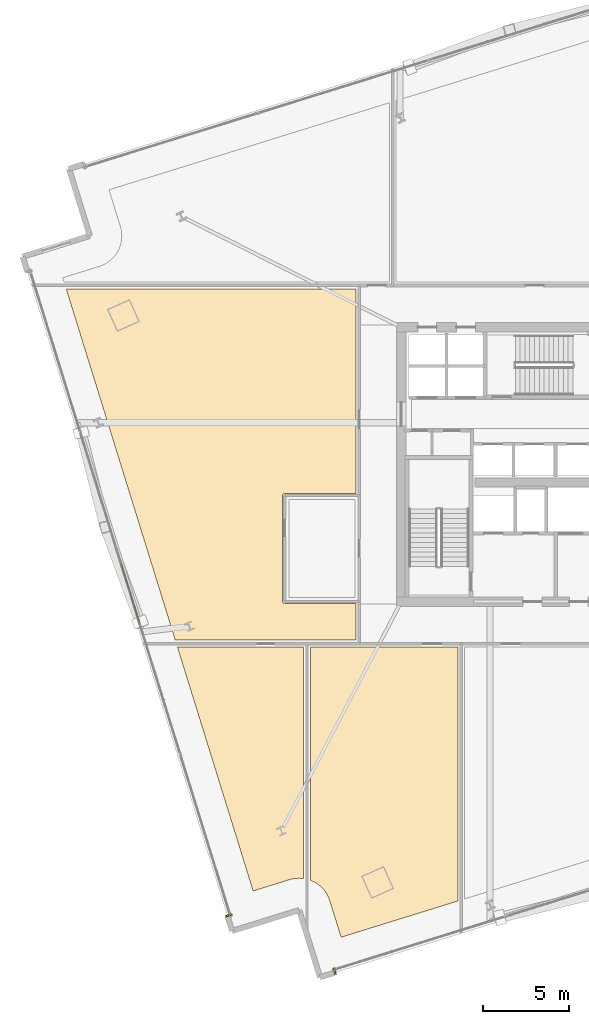
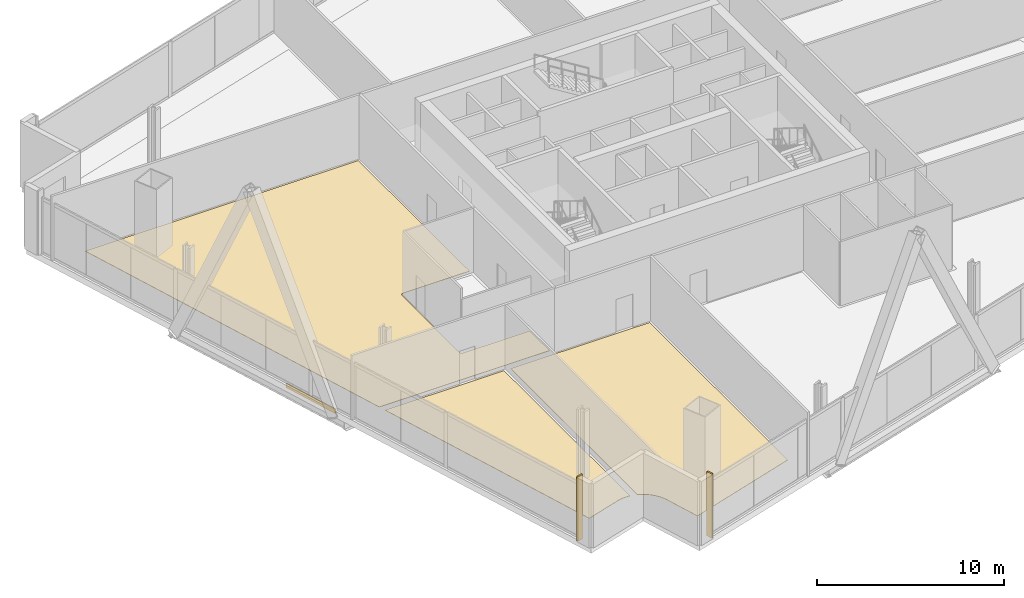
# One storey, part 20 of 26: 6 coverings.
"""IFC4 building model written with IfcOpenShell, lengths in metres."""

from ifc_helpers import new_model, si_unit, direction, frame, origin, origin_2d, place, context, subcontext, project, spatial, polyline, rectangle, outline, extrude, source, transform, mapped, material, layer, layer_set, type_object, element, save


model = new_model("IFC4")

# Units and contexts
model_context = context("Model", 3, precision=1e-05, world=origin(), true_north=direction((0.0, 1.0)))
body_context = subcontext(model_context, "Body", "Model", "MODEL_VIEW")
ifc_project = project(units=[si_unit("LENGTHUNIT", "METRE"), si_unit("AREAUNIT", "SQUARE_METRE"), si_unit("VOLUMEUNIT", "CUBIC_METRE"), si_unit("PLANEANGLEUNIT", "RADIAN"), si_unit("MASSUNIT", "GRAM", prefix="KILO")], contexts=[model_context])

# Site, building, storey
site_placement = place(None, origin())
site = spatial("IfcSite", under=ifc_project, at=site_placement, CompositionType="ELEMENT")
building_placement = place(site_placement, origin())
building = spatial("IfcBuilding", under=site, at=building_placement, Name="Haldenkirk Collegiate Tower", CompositionType="ELEMENT")
storey_placement = place(building_placement, frame((0.0, 0.0, 85.949951171875)))
storey = spatial("IfcBuildingStorey", under=building, at=storey_placement, Name="L20", CompositionType="ELEMENT", Elevation=85.949951171875)

# Coverings
ifc_material_1 = material(Name="Polished collegiate terrazzo", Category="concrete")
ifc_layer_1 = layer(ifc_material_1, 0.02490234375)
ifc_layer_set_1 = layer_set([ifc_layer_1], Name="Polished collegiate terrazzo")
covering_type_1 = type_object("IfcCoveringType", Name="COV-FLOOR-TERRAZZO", PredefinedType="FLOORING", material=ifc_layer_set_1)
covering_1_placement = place(storey_placement, origin())
element("IfcCovering", 1, at=covering_1_placement, inside=storey, type_object=covering_type_1, Name="L20 academic room finish 02", PredefinedType="FLOORING", context=body_context, shape_type="SweptSolid", body=[
    extrude(outline(polyline([(21.300048828125, 1.84326171875), (21.2158203125, 1.855224609375), (21.2041015625, 1.856201171875), (21.03271484375, 1.863525390625), (21.02099609375, 1.863525390625), (20.849365234375, 1.85400390625), (20.837646484375, 1.852783203125), (20.66796875, 1.826416015625), (20.656494140625, 1.823974609375), (20.490234375, 1.78125), (20.484619140625, 1.779541015625), (18.354736328125, 1.118408203125), (13.935791015625, 15.35009765625), (21.300048828125, 15.35009765625), (21.300048828125, 1.84326171875)])), origin(), (0.0, 0.0, 1.0), 0.025146484375),
])
covering_2_placement = place(storey_placement, origin())
element("IfcCovering", 2, at=covering_2_placement, inside=storey, type_object=covering_type_1, Name="L20 academic room finish 08", PredefinedType="FLOORING", context=body_context, shape_type="SweptSolid", body=[
    extrude(outline(polyline([(20.199951171875, 24.320068359375), (20.188232421875, 24.3193359375), (20.176513671875, 24.317626953125), (20.165283203125, 24.314697265625), (20.154052734375, 24.310791015625), (20.143310546875, 24.305908203125), (20.13330078125, 24.2998046875), (20.123779296875, 24.292724609375), (20.114990234375, 24.284912109375), (20.107177734375, 24.276123046875), (20.10009765625, 24.2666015625), (20.09423828125, 24.256591796875), (20.089111328125, 24.245849609375), (20.085205078125, 24.23486328125), (20.082275390625, 24.223388671875), (20.08056640625, 24.2119140625), (20.080078125, 24.199951171875), (20.080078125, 18.0), (20.08056640625, 17.98828125), (20.082275390625, 17.9765625), (20.085205078125, 17.965087890625), (20.089111328125, 17.9541015625), (20.09423828125, 17.943359375), (20.10009765625, 17.933349609375), (20.107177734375, 17.923828125), (20.114990234375, 17.9150390625), (20.123779296875, 17.9072265625), (20.13330078125, 17.900146484375), (20.143310546875, 17.894287109375), (20.154052734375, 17.88916015625), (20.165283203125, 17.88525390625), (20.176513671875, 17.88232421875), (20.188232421875, 17.880615234375), (20.199951171875, 17.8798828125), (24.35009765625, 17.8798828125), (24.35009765625, 15.75), (13.8115234375, 15.75), (7.446044921875, 36.25), (24.35009765625, 36.25), (24.35009765625, 24.320068359375), (20.199951171875, 24.320068359375)])), origin(), (0.0, 0.0, 1.0), 0.025146484375),
])
ifc_material_2 = material(Name="Engineered collegiate oak acoustic flooring", Category="wood")
ifc_layer_2 = layer(ifc_material_2, 0.02197265625)
ifc_layer_set_2 = layer_set([ifc_layer_2], Name="Engineered collegiate oak acoustic flooring")
covering_type_2 = type_object("IfcCoveringType", Name="COV-FLOOR-TIMBER", PredefinedType="FLOORING", material=ifc_layer_set_2)
covering_3_placement = place(storey_placement, origin())
element("IfcCovering", 3, at=covering_3_placement, inside=storey, type_object=covering_type_2, Name="L20 academic room finish 03", PredefinedType="FLOORING", context=body_context, shape_type="SweptSolid", body=[
    extrude(outline(polyline([(22.356689453125, 1.3203125), (22.348388671875, 1.32861328125), (22.22021484375, 1.443115234375), (22.211181640625, 1.450439453125), (22.072509765625, 1.552001953125), (22.062744140625, 1.558349609375), (21.914794921875, 1.645751953125), (21.904296875, 1.651123046875), (21.748779296875, 1.7236328125), (21.73779296875, 1.72802734375), (21.699951171875, 1.7412109375), (21.699951171875, 15.35009765625), (30.300048828125, 15.35009765625), (30.300048828125, 0.5341796875), (23.486083984375, -1.58154296875), (22.824951171875, 0.548095703125), (22.822998046875, 0.5537109375), (22.76416015625, 0.715087890625), (22.759521484375, 0.72607421875), (22.68505859375, 0.880859375), (22.679443359375, 0.89111328125), (22.590087890625, 1.03759765625), (22.58349609375, 1.047607421875), (22.48046875, 1.184814453125), (22.472900390625, 1.19384765625), (22.356689453125, 1.3203125)])), origin(), (0.0, 0.0, 1.0), 0.02197265625),
])
ifc_material_3 = material(Name="Anodised architectural bronze aluminium", Category="aluminium")
ifc_layer_3 = layer(ifc_material_3, 0.06005859375)
ifc_layer_set_3 = layer_set([ifc_layer_3], Name="Anodised architectural bronze aluminium")
covering_type_3 = type_object("IfcCoveringType", Name="COV-CLAD-BRONZE-60", PredefinedType="CLADDING", material=ifc_layer_set_3)
shared_shape_1 = source(origin(), body_context, "Body", "SweptSolid", [
    extrude(rectangle(XDim=3.60009765625, YDim=0.06005859375, at=origin_2d()), origin(), (0.0, 0.0, 1.0), 0.300048828125),
])
covering_4_placement = place(storey_placement, frame((11.1865234375, 18.504638671875, -0.2998046875), z_axis=(0.0, 0.0, 1.0), x_axis=(-0.296541574976, 0.955019944457, 0.0)))
element("IfcCovering", 4, at=covering_4_placement, inside=storey, type_object=covering_type_3, Name="L20 architectural bronze spandrel cladding W", PredefinedType="CLADDING", context=body_context, shape_type="MappedRepresentation", body=[
    mapped(shared_shape_1, transform((0.0, 0.0, 0.0), x_axis=(1.0, 0.0, 0.0), y_axis=(0.0, 1.0, 0.0), z_axis=(0.0, 0.0, 1.0), scale=1.0)),
])
shared_shape_2 = source(origin(), body_context, "Body", "SweptSolid", [
    extrude(rectangle(XDim=0.10009765625, YDim=0.3798828125, at=origin_2d()), origin(), (0.0, 0.0, 1.0), 4.199951171875),
])
for number, where, z_axis, x_axis, name in (
    (5, (23.1162109375, -3.560302734375, 0.0), (0.0, 0.0, 1.0), (-0.955019944457, -0.296541574976, 0.0), "L20 recessed curtain-wall bronze jamb closure SJR"),
    (6, (16.93359375, -0.307373046875, 0.0), (0.0, 0.0, 1.0), (-0.296541574976, 0.955019944457, 0.0), "L20 recessed curtain-wall bronze jamb closure WJL"),
):
    element("IfcCovering", number, at=place(storey_placement, frame(where, z_axis=z_axis, x_axis=x_axis)), inside=storey, type_object=covering_type_3, Name=name, PredefinedType="CLADDING", context=body_context, shape_type="MappedRepresentation", body=[
        mapped(shared_shape_2, transform((0.0, 0.0, 0.0), x_axis=(1.0, 0.0, 0.0), y_axis=(0.0, 1.0, 0.0), z_axis=(0.0, 0.0, 1.0), scale=1.0)),
    ])

save(model, "model.ifc")
